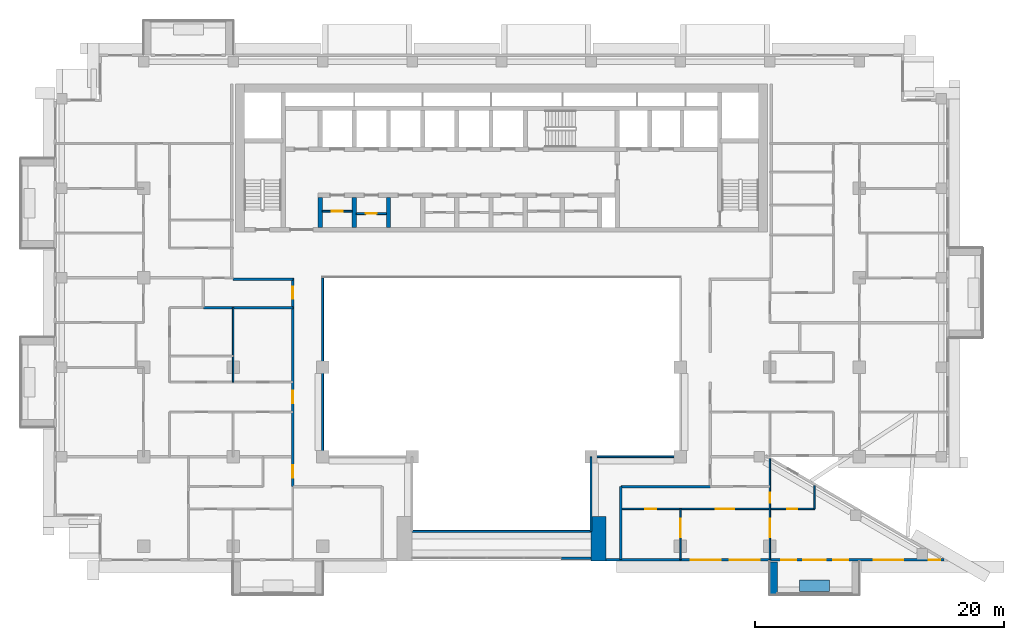
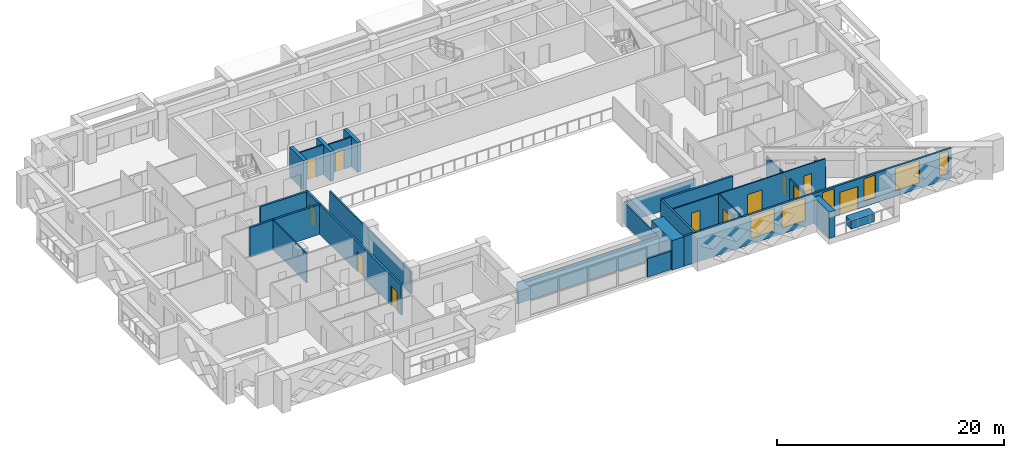
# One storey, part 8 of 20: 24 walls, 12 doors, 6 windows, 18 openings.
"""IFC4 building model written with IfcOpenShell, lengths in metres."""

import ifcopenshell
import ifcopenshell.guid

model = None  # the IFC model being written
_history = None  # IfcOwnerHistory: only IFC2X3 demands one
_inside = {}  # id of a spatial element -> (the spatial element, [elements in it])
_under = {}  # id of a project, library or spatial element -> (it, [spatial elements below it])
_declared = {}  # id of a project -> (the project, [libraries it declares])
_typed = {}  # id of a type object -> (the type object, [elements of that type])
_made_of = {}  # id of a material, layer set ... -> (it, [elements and type objects made of it])


def new_model(schema):
    """Start an empty IFC model of exactly this schema.

    Asked for "IFC4X3", IfcOpenShell would pick the latest addendum, in which some entities
    have other attributes; the version numbers below select the first issue.
    IFC2X3 requires an IfcOwnerHistory on every rooted entity: one is made here for all.
    """
    global model, _history
    if schema == "IFC4X3":
        model = ifcopenshell.file(schema_version=(4, 3, 0, 0))
    else:
        model = ifcopenshell.file(schema=schema)
    _inside.clear()
    _under.clear()
    _declared.clear()
    _typed.clear()
    _made_of.clear()
    _history = None
    if model.schema == "IFC2X3":
        org = make("IfcOrganization", Name="unknown")
        user = make(
            "IfcPersonAndOrganization",
            ThePerson=make("IfcPerson", FamilyName="unknown"),
            TheOrganization=org,
        )
        app = make(
            "IfcApplication",
            ApplicationDeveloper=org,
            Version="unknown",
            ApplicationFullName="unknown",
            ApplicationIdentifier="unknown",
        )
        _history = make(
            "IfcOwnerHistory",
            OwningUser=user,
            OwningApplication=app,
            ChangeAction="ADDED",
            CreationDate=0,
        )
    return model


def make(cls, **values):
    """One entity of the class cls with the attributes given. An attribute that is None is left unset."""
    return model.create_entity(
        cls, **{name: value for name, value in values.items() if value is not None}
    )


def rooted(cls, **values):
    """An entity with a GlobalId (a new one), such as an element, a storey or a relation."""
    return make(cls, GlobalId=ifcopenshell.guid.new(), OwnerHistory=_history, **values)


def si_unit(unit_type, name, prefix=None):
    """IfcSIUnit, for example si_unit("LENGTHUNIT", "METRE", prefix="MILLI")."""
    return make("IfcSIUnit", UnitType=unit_type, Prefix=prefix, Name=name)


def assignment(units):
    """IfcUnitAssignment: the units of a project."""
    return None if units is None else make("IfcUnitAssignment", Units=units)


def point(xyz):
    """IfcCartesianPoint."""
    return None if xyz is None else make("IfcCartesianPoint", Coordinates=xyz)


def direction(xyz):
    """IfcDirection."""
    return None if xyz is None else make("IfcDirection", DirectionRatios=xyz)


def frame(location, z_axis=None, x_axis=None):
    """IfcAxis2Placement3D, a coordinate frame: its origin and axes. An axis left out is left unset."""
    return make(
        "IfcAxis2Placement3D",
        Location=point(location),
        Axis=direction(z_axis),
        RefDirection=direction(x_axis),
    )


def frame_2d(location, x_axis=None):
    """IfcAxis2Placement2D, a coordinate frame in the plane: its origin and x axis."""
    return make(
        "IfcAxis2Placement2D", Location=point(location), RefDirection=direction(x_axis)
    )


def origin():
    """The frame at (0, 0, 0) with its axes left unset."""
    return frame((0.0, 0.0, 0.0))


def place(relative_to, where):
    """IfcLocalPlacement: puts the frame where relative to a parent placement (None: the world)."""
    return make(
        "IfcLocalPlacement", PlacementRelTo=relative_to, RelativePlacement=where
    )


def context(
    kind, dimensions, precision=None, world=None, true_north=None, identifier=None
):
    """IfcGeometricRepresentationContext, for example the 3D "Model" context."""
    return make(
        "IfcGeometricRepresentationContext",
        ContextIdentifier=identifier,
        ContextType=kind,
        CoordinateSpaceDimension=dimensions,
        Precision=precision,
        WorldCoordinateSystem=world,
        TrueNorth=true_north,
    )


def subcontext(parent, identifier, kind, view, scale=None):
    """IfcGeometricRepresentationSubContext, for example "Body" below "Model"."""
    return make(
        "IfcGeometricRepresentationSubContext",
        ContextIdentifier=identifier,
        ContextType=kind,
        ParentContext=parent,
        TargetScale=scale,
        TargetView=view,
    )


def project(units=None, contexts=None):
    """IfcProject with its units and contexts."""
    return rooted(
        "IfcProject",
        Name="project",
        RepresentationContexts=contexts,
        UnitsInContext=assignment(units),
    )


def spatial(cls, under=None, at=None, **own):
    """A site, building, storey or space (cls), placed at a placement, below another one or the project."""
    s = rooted(cls, ObjectPlacement=at, **own)
    if under is not None:
        _under.setdefault(under.id(), (under, []))[1].append(s)
    return s


def profile(cls, at=None, kind="AREA", **sizes):
    """A parametric profile (cls). Its sizes go by their IFC names, for example OverallWidth=200.0."""
    return make(cls, ProfileType=kind, Position=at, **sizes)


def rectangle(**sizes):
    """IfcRectangleProfileDef."""
    return profile("IfcRectangleProfileDef", **sizes)


def extrude(swept, where, along, depth):
    """IfcExtrudedAreaSolid: the profile swept, set in the frame where, extruded along a direction by depth."""
    return make(
        "IfcExtrudedAreaSolid",
        SweptArea=swept,
        Position=where,
        ExtrudedDirection=direction(along),
        Depth=depth,
    )


def shape(context_of_items, identifier, shape_type, items):
    """IfcShapeRepresentation: the items that make up one representation, for example the "Body"."""
    return make(
        "IfcShapeRepresentation",
        ContextOfItems=context_of_items,
        RepresentationIdentifier=identifier,
        RepresentationType=shape_type,
        Items=items,
    )


def material(Name=None, Category=None):
    """IfcMaterial."""
    return make("IfcMaterial", Name=Name, Category=Category)


def layer(
    of_material, thickness, ventilated=None, Name=None, Category=None, Priority=None
):
    """IfcMaterialLayer: one layer of a wall or slab, of a material (None: an air gap)."""
    return make(
        "IfcMaterialLayer",
        Material=of_material,
        LayerThickness=thickness,
        IsVentilated=ventilated,
        Name=Name,
        Category=Category,
        Priority=Priority,
    )


def layer_set(layers, Name=None):
    """IfcMaterialLayerSet."""
    return make("IfcMaterialLayerSet", MaterialLayers=layers, LayerSetName=Name)


def made_of(thing, what):
    """Note that an element or type object is made of a material, layer set ...; save() writes the relation."""
    if what is not None:
        _made_of.setdefault(what.id(), (what, []))[1].append(thing)
    return thing


def type_object(cls, material=None, **own):
    """A type object (cls), such as IfcWallType, which elements share."""
    return made_of(rooted(cls, **own), material)


def element(
    cls,
    number,
    at=None,
    inside=None,
    cuts=None,
    type_object=None,
    material=None,
    context=None,
    identifier="Body",
    shape_type=None,
    held_by="IfcProductDefinitionShape",
    body=None,
    shapes=None,
    **own,
):
    """One element of the class cls, such as IfcWall. Its Tag is "e" and its number.

    at: its placement. inside: the storey or other place that contains it. cuts: it is an
    opening in that element (IfcRelVoidsElement). A single representation is given by context,
    identifier, shape_type and body (its items); several are given by shapes. held_by: the class
    of the entity that holds the representations. save() writes the other relations.
    """
    e = rooted(cls, Tag="e%d" % number, ObjectPlacement=at, **own)
    if body is not None:
        shapes = [shape(context, identifier, shape_type, body)]
    if shapes is not None:
        e.Representation = make(held_by, Representations=shapes)
    if inside is not None:
        _inside.setdefault(inside.id(), (inside, []))[1].append(e)
    if cuts is not None:
        rooted(
            "IfcRelVoidsElement", RelatingBuildingElement=cuts, RelatedOpeningElement=e
        )
    if type_object is not None:
        _typed.setdefault(type_object.id(), (type_object, []))[1].append(e)
    return made_of(e, material)


def fill(opening, filler):
    """IfcRelFillsElement: the door or window that sits in an opening."""
    return rooted(
        "IfcRelFillsElement",
        RelatingOpeningElement=opening,
        RelatedBuildingElement=filler,
    )


def aggregate(whole, parts):
    """IfcRelAggregates: a whole, such as a stair, and the parts it consists of."""
    return rooted("IfcRelAggregates", RelatingObject=whole, RelatedObjects=parts)


def save(model, path):
    """Write the relations noted so far, then the file.

    IfcRelAggregates (storeys below a building ...), IfcRelContainedInSpatialStructure (elements
    in a storey), IfcRelDefinesByType, IfcRelAssociatesMaterial and IfcRelDeclares: one each for
    every whole, place, type object, material and project.
    """
    for whole, parts in _under.values():
        aggregate(whole, parts)
    for where, things in _inside.values():
        rooted(
            "IfcRelContainedInSpatialStructure",
            RelatedElements=things,
            RelatingStructure=where,
        )
    for kind, things in _typed.values():
        rooted("IfcRelDefinesByType", RelatedObjects=things, RelatingType=kind)
    for what, things in _made_of.values():
        rooted("IfcRelAssociatesMaterial", RelatedObjects=things, RelatingMaterial=what)
    for by, libraries in _declared.values():
        rooted("IfcRelDeclares", RelatingContext=by, RelatedDefinitions=libraries)
    model.write(path)


model = new_model("IFC4")

# Units and contexts
model_context = context("Model", 3, precision=1e-05, world=origin(), true_north=direction((0.0, 1.0)))
body_context = subcontext(model_context, "Body", "Model", "MODEL_VIEW")
ifc_project = project(units=[si_unit("LENGTHUNIT", "METRE"), si_unit("AREAUNIT", "SQUARE_METRE"), si_unit("VOLUMEUNIT", "CUBIC_METRE"), si_unit("PLANEANGLEUNIT", "RADIAN"), si_unit("MASSUNIT", "GRAM", prefix="KILO")], contexts=[model_context])

# Site, building, storey
site_placement = place(None, origin())
site = spatial("IfcSite", under=ifc_project, at=site_placement, CompositionType="ELEMENT")
building_placement = place(site_placement, origin())
building = spatial("IfcBuilding", under=site, at=building_placement, Name="Saffron Iwan Residences", CompositionType="ELEMENT")
storey_placement = place(building_placement, frame((0.0, 0.0, 150.0)))
storey = spatial("IfcBuildingStorey", under=building, at=storey_placement, Name="L39", CompositionType="ELEMENT", Elevation=150.0)

# Walls
ifc_material_1 = material(Name="Fire-rated glazing", Category="glass")
ifc_layer_1 = layer(ifc_material_1, 0.14990234375)
ifc_layer_set_1 = layer_set([ifc_layer_1], Name="Fire-rated glazing")
wall_type_1 = type_object("IfcWallType", Name="Atrium glazed screen 150", PredefinedType="SOLIDWALL", material=ifc_layer_set_1)
wall_1_placement = place(storey_placement, frame((43.199951171875, 42.0, 0.0), z_axis=(0.0, 0.0, 1.0), x_axis=(1.0, 0.0, 0.0)))
element("IfcWall", 1, at=wall_1_placement, inside=storey, type_object=wall_type_1, Name="W-L39-SCREEN-h42-43.2", PredefinedType="SOLIDWALL", context=body_context, shape_type="SweptSolid", body=[
    extrude(rectangle(XDim=14.400146484375, YDim=0.14990234375, at=frame_2d((7.2001953125, 0.0))), origin(), (0.0, 0.0, 1.0), 2.300048828125),
])
wall_2_placement = place(storey_placement, frame((57.60009765625, 48.0, 0.0), z_axis=(0.0, 0.0, 1.0), x_axis=(1.0, 0.0, 0.0)))
element("IfcWall", 2, at=wall_2_placement, inside=storey, type_object=wall_type_1, Name="W-L39-SCREEN-h48-57.6", PredefinedType="SOLIDWALL", context=body_context, shape_type="SweptSolid", body=[
    extrude(rectangle(XDim=7.199951171875, YDim=0.14990234375, at=frame_2d((3.60009765625, 0.0))), origin(), (0.0, 0.0, 1.0), 2.300048828125),
])
wall_3_placement = place(storey_placement, frame((36.0, 48.0, 0.0), z_axis=(0.0, 0.0, 1.0), x_axis=(0.0, 1.0, 0.0)))
element("IfcWall", 3, at=wall_3_placement, inside=storey, type_object=wall_type_1, Name="W-L39-SCREEN-v36-48", PredefinedType="SOLIDWALL", context=body_context, shape_type="SweptSolid", body=[
    extrude(rectangle(XDim=14.39990234375, YDim=0.14990234375, at=frame_2d((7.199951171875, 0.0))), origin(), (0.0, 0.0, 1.0), 2.300048828125),
])
wall_4_placement = place(storey_placement, frame((57.60009765625, 42.0, 0.0), z_axis=(0.0, 0.0, 1.0), x_axis=(0.0, 1.0, 0.0)))
element("IfcWall", 4, at=wall_4_placement, inside=storey, type_object=wall_type_1, Name="W-L39-SCREEN-v57.6-42", PredefinedType="SOLIDWALL", context=body_context, shape_type="SweptSolid", body=[
    extrude(rectangle(XDim=6.0, YDim=0.14990234375, at=frame_2d((3.0, 0.0))), origin(), (0.0, 0.0, 1.0), 2.300048828125),
])
ifc_material_2 = material(Name="Concrete C50/60 white painted", Category="concrete")
ifc_layer_2 = layer(ifc_material_2, 0.60009765625)
ifc_layer_set_2 = layer_set([ifc_layer_2], Name="Concrete C50/60 white painted")
wall_type_2 = type_object("IfcWallType", Name="BALCONY FIN 600", PredefinedType="SOLIDWALL", material=ifc_layer_set_2)
wall_5_placement = place(storey_placement, frame((72.300048828125, 39.550048828125, 0.0), z_axis=(0.0, 0.0, 1.0), x_axis=(0.0, -1.0, 0.0)))
element("IfcWall", 5, at=wall_5_placement, inside=storey, type_object=wall_type_2, Name="Balcony fin L39 11-1a", PredefinedType="SOLIDWALL", context=body_context, shape_type="SweptSolid", body=[
    extrude(rectangle(XDim=2.650146484375, YDim=0.60009765625, at=frame_2d((1.3251953125, 0.0))), origin(), (0.0, 0.0, 1.0), 2.85009765625),
])
ifc_material_3 = material(Name="Concrete C35/45 white painted", Category="concrete")
ifc_layer_3 = layer(ifc_material_3, 0.14990234375)
ifc_layer_set_3 = layer_set([ifc_layer_3], Name="Concrete C35/45 white painted")
wall_type_3 = type_object("IfcWallType", Name="BALCONY PLANTER", PredefinedType="SOLIDWALL", material=ifc_layer_set_3)
wall_6_placement = place(storey_placement, frame((74.39990234375, 37.625, 0.0), z_axis=(0.0, 0.0, 1.0), x_axis=(1.0, 0.0, 0.0)))
element("IfcWall", 6, at=wall_6_placement, inside=storey, type_object=wall_type_3, Name="PLANTER L39 11-1", PredefinedType="SOLIDWALL", context=body_context, shape_type="SweptSolid", body=[
    extrude(rectangle(XDim=2.400146484375, YDim=0.89990234375, at=frame_2d((1.2001953125, 0.0))), origin(), (0.0, 0.0, 1.0), 0.89990234375),
])

# Wall, opening, door
ifc_material_4 = material(Name="Fire-rated plasterboard partition")
ifc_layer_4 = layer(ifc_material_4, 0.14990234375)
ifc_layer_set_4 = layer_set([ifc_layer_4], Name="Fire-rated plasterboard partition")
wall_type_4 = type_object("IfcWallType", Name="Core partition 150", PredefinedType="PARTITIONING", material=ifc_layer_set_4)
wall_7_placement = place(storey_placement, frame((35.97509765625, 67.759521484375, 0.0), z_axis=(0.0, 0.0, 1.0), x_axis=(1.0, 0.0, 0.0)))
wall_7 = element("IfcWall", 7, at=wall_7_placement, inside=storey, type_object=wall_type_4, Name="Core partition P01", PredefinedType="PARTITIONING", context=body_context, shape_type="SweptSolid", body=[
    extrude(rectangle(XDim=2.39990234375, YDim=0.14990234375, at=frame_2d((1.199951171875, 0.0))), origin(), (0.0, 0.0, 1.0), 3.199951171875),
])
opening_1_placement = place(wall_7_placement, frame((0.75, 0.0, 0.0)))
opening_1 = element("IfcOpeningElement", 8, at=opening_1_placement, cuts=wall_7, Name="Opening SB", PredefinedType="OPENING", context=body_context, shape_type="SweptSolid", body=[
    extrude(rectangle(XDim=0.89990234375, YDim=2.10009765625, at=frame_2d((0.449951171875, 1.050048828125))), frame((0.0, 0.0849609375, 0.0), z_axis=(0.0, -1.0, 0.0), x_axis=(1.0, 0.0, 0.0)), (0.0, 0.0, 1.0), 0.169921875),
])
ifc_material_5 = material(Name="Steel fire door", Category="steel")
door_type_1 = type_object("IfcDoorType", Name="Store door 900", OperationType="NOTDEFINED", PredefinedType="DOOR", material=ifc_material_5)
door_1_placement = place(opening_1_placement, origin())
door_1 = element("IfcDoor", 9, at=door_1_placement, inside=storey, type_object=door_type_1, Name="Door Stationery store", OperationType="SINGLE_SWING_LEFT", OverallHeight=2.10009765625, OverallWidth=0.89990234375, PredefinedType="DOOR", context=body_context, shape_type="SweptSolid", body=[
    extrude(rectangle(XDim=0.89990234375, YDim=2.10009765625, at=frame_2d((0.449951171875, 1.050048828125))), frame((0.0, 0.02490234375, 0.0), z_axis=(0.0, -1.0, 0.0), x_axis=(1.0, 0.0, 0.0)), (0.0, 0.0, 1.0), 0.050048828125),
])
fill(opening_1, door_1)

wall_8_placement = place(storey_placement, frame((38.72509765625, 67.5654296875, 0.0), z_axis=(0.0, 0.0, 1.0), x_axis=(1.0, 0.0, 0.0)))
wall_8 = element("IfcWall", 10, at=wall_8_placement, inside=storey, type_object=wall_type_4, Name="Core partition P02", PredefinedType="PARTITIONING", context=body_context, shape_type="SweptSolid", body=[
    extrude(rectangle(XDim=2.39990234375, YDim=0.14990234375, at=frame_2d((1.199951171875, 0.0))), origin(), (0.0, 0.0, 1.0), 3.199951171875),
])
opening_2_placement = place(wall_8_placement, frame((0.75, 0.0, 0.0)))
opening_2 = element("IfcOpeningElement", 11, at=opening_2_placement, cuts=wall_8, Name="Opening SB", PredefinedType="OPENING", context=body_context, shape_type="SweptSolid", body=[
    extrude(rectangle(XDim=0.89990234375, YDim=2.10009765625, at=frame_2d((0.449951171875, 1.050048828125))), frame((0.0, 0.0849609375, 0.0), z_axis=(0.0, -1.0, 0.0), x_axis=(1.0, 0.0, 0.0)), (0.0, 0.0, 1.0), 0.169921875),
])
door_2_placement = place(opening_2_placement, origin())
door_2 = element("IfcDoor", 12, at=door_2_placement, inside=storey, type_object=door_type_1, Name="Door Tool store", OperationType="SINGLE_SWING_LEFT", OverallHeight=2.10009765625, OverallWidth=0.89990234375, PredefinedType="DOOR", context=body_context, shape_type="SweptSolid", body=[
    extrude(rectangle(XDim=0.89990234375, YDim=2.10009765625, at=frame_2d((0.449951171875, 1.050048828125))), frame((0.0, 0.02490234375, 0.0), z_axis=(0.0, -1.0, 0.0), x_axis=(1.0, 0.0, 0.0)), (0.0, 0.0, 1.0), 0.050048828125),
])
fill(opening_2, door_2)

# Wall, openings, door, windows
ifc_material_6 = material(Name="Concrete C40/50", Category="concrete")
ifc_layer_5 = layer(ifc_material_6, 0.199951171875)
ifc_layer_set_5 = layer_set([ifc_layer_5], Name="Concrete C40/50")
wall_type_5 = type_object("IfcWallType", Name="EXTERNAL WALL 200", PredefinedType="SOLIDWALL", material=ifc_layer_set_5)
wall_9_placement = place(storey_placement, frame((58.800048828125, 39.699951171875, 0.0), z_axis=(0.0, 0.0, 1.0), x_axis=(1.0, 0.0, 0.0)))
wall_9 = element("IfcWall", 13, at=wall_9_placement, inside=storey, type_object=wall_type_5, Name="External wall L39 F11.1", PredefinedType="SOLIDWALL", context=body_context, shape_type="SweptSolid", body=[
    extrude(rectangle(XDim=27.22998046875, YDim=0.199951171875, at=frame_2d((13.614990234375, 0.0))), origin(), (0.0, 0.0, 1.0), 3.199951171875),
])
opening_3_placement = place(wall_9_placement, frame((15.89990234375, 0.0, 0.0)))
opening_3 = element("IfcOpeningElement", 14, at=opening_3_placement, cuts=wall_9, Name="Opening BD1", PredefinedType="OPENING", context=body_context, shape_type="SweptSolid", body=[
    extrude(rectangle(XDim=1.800048828125, YDim=2.39990234375, at=frame_2d((0.89990234375, 1.199951171875))), frame((0.0, 0.10986328125, 0.0), z_axis=(0.0, -1.0, 0.0), x_axis=(1.0, 0.0, 0.0)), (0.0, 0.0, 1.0), 0.219970703125),
])
opening_4_placement = place(wall_9_placement, frame((6.833251953125, 0.0, 0.60009765625)))
opening_4 = element("IfcOpeningElement", 15, at=opening_4_placement, cuts=wall_9, Name="Opening W1", PredefinedType="OPENING", context=body_context, shape_type="SweptSolid", body=[
    extrude(rectangle(XDim=2.39990234375, YDim=2.39990234375, at=frame_2d((1.199951171875, 1.199951171875))), frame((0.0, 0.10986328125, 0.0), z_axis=(0.0, -1.0, 0.0), x_axis=(1.0, 0.0, 0.0)), (0.0, 0.0, 1.0), 0.219970703125),
])
opening_5_placement = place(wall_9_placement, frame((9.966796875, 0.0, 0.60009765625)))
opening_5 = element("IfcOpeningElement", 16, at=opening_5_placement, cuts=wall_9, Name="Opening W1", PredefinedType="OPENING", context=body_context, shape_type="SweptSolid", body=[
    extrude(rectangle(XDim=2.39990234375, YDim=2.39990234375, at=frame_2d((1.199951171875, 1.199951171875))), frame((0.0, 0.10986328125, 0.0), z_axis=(0.0, -1.0, 0.0), x_axis=(1.0, 0.0, 0.0)), (0.0, 0.0, 1.0), 0.219970703125),
])
opening_6_placement = place(wall_9_placement, frame((14.10009765625, 0.0, 0.60009765625)))
opening_6 = element("IfcOpeningElement", 17, at=opening_6_placement, cuts=wall_9, Name="Opening W3", PredefinedType="OPENING", context=body_context, shape_type="SweptSolid", body=[
    extrude(rectangle(XDim=1.199951171875, YDim=2.39990234375, at=frame_2d((0.60009765625, 1.199951171875))), frame((0.0, 0.10986328125, 0.0), z_axis=(0.0, -1.0, 0.0), x_axis=(1.0, 0.0, 0.0)), (0.0, 0.0, 1.0), 0.219970703125),
])
opening_7_placement = place(wall_9_placement, frame((18.300048828125, 0.0, 0.60009765625)))
opening_7 = element("IfcOpeningElement", 18, at=opening_7_placement, cuts=wall_9, Name="Opening W3", PredefinedType="OPENING", context=body_context, shape_type="SweptSolid", body=[
    extrude(rectangle(XDim=1.199951171875, YDim=2.39990234375, at=frame_2d((0.60009765625, 1.199951171875))), frame((0.0, 0.10986328125, 0.0), z_axis=(0.0, -1.0, 0.0), x_axis=(1.0, 0.0, 0.0)), (0.0, 0.0, 1.0), 0.219970703125),
])
opening_8_placement = place(wall_9_placement, frame((21.550537109375, 0.0, 0.60009765625)))
opening_8 = element("IfcOpeningElement", 19, at=opening_8_placement, cuts=wall_9, Name="Opening W1", PredefinedType="OPENING", context=body_context, shape_type="SweptSolid", body=[
    extrude(rectangle(XDim=2.39990234375, YDim=2.39990234375, at=frame_2d((1.199951171875, 1.199951171875))), frame((0.0, 0.10986328125, 0.0), z_axis=(0.0, -1.0, 0.0), x_axis=(1.0, 0.0, 0.0)), (0.0, 0.0, 1.0), 0.219970703125),
])
opening_9_placement = place(wall_9_placement, frame((25.990478515625, 0.0, 0.60009765625)))
opening_9 = element("IfcOpeningElement", 20, at=opening_9_placement, cuts=wall_9, Name="Opening W10", PredefinedType="OPENING", context=body_context, shape_type="SweptSolid", body=[
    extrude(rectangle(XDim=0.89990234375, YDim=2.39990234375, at=frame_2d((0.449951171875, 1.199951171875))), frame((0.0, 0.10986328125, 0.0), z_axis=(0.0, -1.0, 0.0), x_axis=(1.0, 0.0, 0.0)), (0.0, 0.0, 1.0), 0.219970703125),
])
ifc_material_7 = material(Name="Clear glass, laminated double glazed", Category="glass")
door_type_2 = type_object("IfcDoorType", Name="BALCONY DOOR 1800 x 2400", OperationType="DOUBLE_DOOR_SLIDING", PredefinedType="DOOR", material=ifc_material_7)
door_3_placement = place(opening_3_placement, origin())
door_3 = element("IfcDoor", 21, at=door_3_placement, inside=storey, type_object=door_type_2, Name="Balcony door L39 F11.0", OperationType="DOUBLE_DOOR_SLIDING", OverallHeight=2.39990234375, OverallWidth=1.800048828125, PredefinedType="DOOR", context=body_context, shape_type="SweptSolid", body=[
    extrude(rectangle(XDim=1.800048828125, YDim=2.39990234375, at=frame_2d((0.89990234375, 1.199951171875))), frame((0.0, 0.02490234375, 0.0), z_axis=(0.0, -1.0, 0.0), x_axis=(1.0, 0.0, 0.0)), (0.0, 0.0, 1.0), 0.050048828125),
])
fill(opening_3, door_3)
window_type_1 = type_object("IfcWindowType", Name="WINDOW 1200 x 2400", PartitioningType="SINGLE_PANEL", PredefinedType="WINDOW", material=ifc_material_7)
window_1_placement = place(opening_6_placement, origin())
window_1 = element("IfcWindow", 22, at=window_1_placement, inside=storey, type_object=window_type_1, Name="Window L39 F11.3", OverallHeight=2.39990234375, OverallWidth=1.199951171875, PartitioningType="SINGLE_PANEL", PredefinedType="WINDOW", context=body_context, shape_type="SweptSolid", body=[
    extrude(rectangle(XDim=1.199951171875, YDim=2.39990234375, at=frame_2d((0.60009765625, 1.199951171875))), frame((0.0, 0.030029296875, 0.0), z_axis=(0.0, -1.0, 0.0), x_axis=(1.0, 0.0, 0.0)), (0.0, 0.0, 1.0), 0.06005859375),
])
fill(opening_6, window_1)
window_2_placement = place(opening_7_placement, origin())
window_2 = element("IfcWindow", 23, at=window_2_placement, inside=storey, type_object=window_type_1, Name="Window L39 F11.4", OverallHeight=2.39990234375, OverallWidth=1.199951171875, PartitioningType="SINGLE_PANEL", PredefinedType="WINDOW", context=body_context, shape_type="SweptSolid", body=[
    extrude(rectangle(XDim=1.199951171875, YDim=2.39990234375, at=frame_2d((0.60009765625, 1.199951171875))), frame((0.0, 0.030029296875, 0.0), z_axis=(0.0, -1.0, 0.0), x_axis=(1.0, 0.0, 0.0)), (0.0, 0.0, 1.0), 0.06005859375),
])
fill(opening_7, window_2)
window_type_2 = type_object("IfcWindowType", Name="WINDOW 2400 x 2400", PartitioningType="DOUBLE_PANEL_VERTICAL", PredefinedType="WINDOW", material=ifc_material_7)
window_3_placement = place(opening_4_placement, origin())
window_3 = element("IfcWindow", 24, at=window_3_placement, inside=storey, type_object=window_type_2, Name="Window L39 F11.1", OverallHeight=2.39990234375, OverallWidth=2.39990234375, PartitioningType="DOUBLE_PANEL_VERTICAL", PredefinedType="WINDOW", context=body_context, shape_type="SweptSolid", body=[
    extrude(rectangle(XDim=2.39990234375, YDim=2.39990234375, at=frame_2d((1.199951171875, 1.199951171875))), frame((0.0, 0.030029296875, 0.0), z_axis=(0.0, -1.0, 0.0), x_axis=(1.0, 0.0, 0.0)), (0.0, 0.0, 1.0), 0.06005859375),
])
fill(opening_4, window_3)
window_4_placement = place(opening_5_placement, origin())
window_4 = element("IfcWindow", 25, at=window_4_placement, inside=storey, type_object=window_type_2, Name="Window L39 F11.2", OverallHeight=2.39990234375, OverallWidth=2.39990234375, PartitioningType="DOUBLE_PANEL_VERTICAL", PredefinedType="WINDOW", context=body_context, shape_type="SweptSolid", body=[
    extrude(rectangle(XDim=2.39990234375, YDim=2.39990234375, at=frame_2d((1.199951171875, 1.199951171875))), frame((0.0, 0.030029296875, 0.0), z_axis=(0.0, -1.0, 0.0), x_axis=(1.0, 0.0, 0.0)), (0.0, 0.0, 1.0), 0.06005859375),
])
fill(opening_5, window_4)
window_5_placement = place(opening_8_placement, origin())
window_5 = element("IfcWindow", 26, at=window_5_placement, inside=storey, type_object=window_type_2, Name="Window L39 F11.5", OverallHeight=2.39990234375, OverallWidth=2.39990234375, PartitioningType="DOUBLE_PANEL_VERTICAL", PredefinedType="WINDOW", context=body_context, shape_type="SweptSolid", body=[
    extrude(rectangle(XDim=2.39990234375, YDim=2.39990234375, at=frame_2d((1.199951171875, 1.199951171875))), frame((0.0, 0.030029296875, 0.0), z_axis=(0.0, -1.0, 0.0), x_axis=(1.0, 0.0, 0.0)), (0.0, 0.0, 1.0), 0.06005859375),
])
fill(opening_8, window_5)
window_type_3 = type_object("IfcWindowType", Name="WINDOW 900 x 2400", PartitioningType="SINGLE_PANEL", PredefinedType="WINDOW", material=ifc_material_7)
window_6_placement = place(opening_9_placement, origin())
window_6 = element("IfcWindow", 27, at=window_6_placement, inside=storey, type_object=window_type_3, Name="Window L39 F11.6", OverallHeight=2.39990234375, OverallWidth=0.89990234375, PartitioningType="SINGLE_PANEL", PredefinedType="WINDOW", context=body_context, shape_type="SweptSolid", body=[
    extrude(rectangle(XDim=0.89990234375, YDim=2.39990234375, at=frame_2d((0.449951171875, 1.199951171875))), frame((0.0, 0.030029296875, 0.0), z_axis=(0.0, -1.0, 0.0), x_axis=(1.0, 0.0, 0.0)), (0.0, 0.0, 1.0), 0.06005859375),
])
fill(opening_9, window_6)

# Walls
wall_10_placement = place(storey_placement, frame((55.199951171875, 39.85009765625, 0.0), z_axis=(0.0, 0.0, 1.0), x_axis=(1.0, 0.0, 0.0)))
element("IfcWall", 28, at=wall_10_placement, inside=storey, type_object=wall_type_5, Name="External wall infill CWB-L39-0", PredefinedType="SOLIDWALL", context=body_context, shape_type="SweptSolid", body=[
    extrude(rectangle(XDim=2.400146484375, YDim=0.199951171875, at=frame_2d((1.2001953125, 0.0))), origin(), (0.0, 0.0, 1.0), 2.0),
])
ifc_material_8 = material(Name="Fire-rated gypsum board wall")
ifc_layer_6 = layer(ifc_material_8, 0.199951171875)
ifc_layer_set_6 = layer_set([ifc_layer_6], Name="Fire-rated gypsum board wall")
wall_type_6 = type_object("IfcWallType", Name="Flat demising wall 200", PredefinedType="SOLIDWALL", material=ifc_layer_set_6)
wall_11_placement = place(storey_placement, frame((26.39990234375, 60.0, 0.0), z_axis=(0.0, 0.0, 1.0), x_axis=(1.0, 0.0, 0.0)))
element("IfcWall", 29, at=wall_11_placement, inside=storey, type_object=wall_type_6, Name="W-L39-DEMISE-h60-26.4", PredefinedType="SOLIDWALL", context=body_context, shape_type="SweptSolid", body=[
    extrude(rectangle(XDim=7.2001953125, YDim=0.199951171875, at=frame_2d((3.60009765625, 0.0))), origin(), (0.0, 0.0, 1.0), 3.199951171875),
])

# Wall, openings, doors
ifc_material_9 = material(Name="Gypsum board partition")
ifc_layer_7 = layer(ifc_material_9, 0.1201171875)
ifc_layer_set_7 = layer_set([ifc_layer_7], Name="Gypsum board partition")
wall_type_7 = type_object("IfcWallType", Name="Flat partition 120", PredefinedType="PARTITIONING", material=ifc_layer_set_7)
wall_12_placement = place(storey_placement, frame((60.0, 43.800048828125, 0.0), z_axis=(0.0, 0.0, 1.0), x_axis=(1.0, 0.0, 0.0)))
wall_12 = element("IfcWall", 30, at=wall_12_placement, inside=storey, type_object=wall_type_7, Name="W-L39-PART-h43.8-60", PredefinedType="PARTITIONING", context=body_context, shape_type="SweptSolid", body=[
    extrude(rectangle(XDim=15.60009765625, YDim=0.1201171875, at=frame_2d((7.800048828125, 0.0))), origin(), (0.0, 0.0, 1.0), 3.199951171875),
])
opening_10_placement = place(wall_12_placement, frame((7.64990234375, 0.0, 0.0)))
opening_10 = element("IfcOpeningElement", 31, at=opening_10_placement, cuts=wall_12, Name="Opening FD4", PredefinedType="OPENING", context=body_context, shape_type="SweptSolid", body=[
    extrude(rectangle(XDim=1.5, YDim=2.10009765625, at=frame_2d((0.75, 1.050048828125))), frame((0.0, 0.070068359375, 0.0), z_axis=(0.0, -1.0, 0.0), x_axis=(1.0, 0.0, 0.0)), (0.0, 0.0, 1.0), 0.14013671875),
])
opening_11_placement = place(wall_12_placement, frame((1.949951171875, 0.0, 0.0)))
opening_11 = element("IfcOpeningElement", 32, at=opening_11_placement, cuts=wall_12, Name="Opening FD2", PredefinedType="OPENING", context=body_context, shape_type="SweptSolid", body=[
    extrude(rectangle(XDim=0.89990234375, YDim=2.10009765625, at=frame_2d((0.449951171875, 1.050048828125))), frame((0.0, 0.070068359375, 0.0), z_axis=(0.0, -1.0, 0.0), x_axis=(1.0, 0.0, 0.0)), (0.0, 0.0, 1.0), 0.14013671875),
])
opening_12_placement = place(wall_12_placement, frame((13.39990234375, 0.0, 0.0)))
opening_12 = element("IfcOpeningElement", 33, at=opening_12_placement, cuts=wall_12, Name="Opening FD3", PredefinedType="OPENING", context=body_context, shape_type="SweptSolid", body=[
    extrude(rectangle(XDim=0.800048828125, YDim=2.10009765625, at=frame_2d((0.39990234375, 1.050048828125))), frame((0.0, 0.070068359375, 0.0), z_axis=(0.0, -1.0, 0.0), x_axis=(1.0, 0.0, 0.0)), (0.0, 0.0, 1.0), 0.14013671875),
])
ifc_material_10 = material(Name="Timber door", Category="wood")
door_type_3 = type_object("IfcDoorType", Name="Bathroom door 800", OperationType="NOTDEFINED", PredefinedType="DOOR", material=ifc_material_10)
door_4_placement = place(opening_12_placement, origin())
door_4 = element("IfcDoor", 34, at=door_4_placement, inside=storey, type_object=door_type_3, Name="Door L39-048", OperationType="SINGLE_SWING_LEFT", OverallHeight=2.10009765625, OverallWidth=0.800048828125, PredefinedType="DOOR", context=body_context, shape_type="SweptSolid", body=[
    extrude(rectangle(XDim=0.800048828125, YDim=2.10009765625, at=frame_2d((0.39990234375, 1.050048828125))), frame((0.0, 0.02490234375, 0.0), z_axis=(0.0, -1.0, 0.0), x_axis=(1.0, 0.0, 0.0)), (0.0, 0.0, 1.0), 0.050048828125),
])
fill(opening_12, door_4)
door_type_4 = type_object("IfcDoorType", Name="Double door 1500", OperationType="NOTDEFINED", PredefinedType="DOOR", material=ifc_material_10)
door_5_placement = place(opening_10_placement, origin())
door_5 = element("IfcDoor", 35, at=door_5_placement, inside=storey, type_object=door_type_4, Name="Door L39-044", OperationType="SINGLE_SWING_LEFT", OverallHeight=2.10009765625, OverallWidth=1.5, PredefinedType="DOOR", context=body_context, shape_type="SweptSolid", body=[
    extrude(rectangle(XDim=1.5, YDim=2.10009765625, at=frame_2d((0.75, 1.050048828125))), frame((0.0, 0.02490234375, 0.0), z_axis=(0.0, -1.0, 0.0), x_axis=(1.0, 0.0, 0.0)), (0.0, 0.0, 1.0), 0.050048828125),
])
fill(opening_10, door_5)
door_type_5 = type_object("IfcDoorType", Name="Flat door 900", OperationType="NOTDEFINED", PredefinedType="DOOR", material=ifc_material_10)
door_6_placement = place(opening_11_placement, origin())
door_6 = element("IfcDoor", 36, at=door_6_placement, inside=storey, type_object=door_type_5, Name="Door L39-045", OperationType="SINGLE_SWING_LEFT", OverallHeight=2.10009765625, OverallWidth=0.89990234375, PredefinedType="DOOR", context=body_context, shape_type="SweptSolid", body=[
    extrude(rectangle(XDim=0.89990234375, YDim=2.10009765625, at=frame_2d((0.449951171875, 1.050048828125))), frame((0.0, 0.02490234375, 0.0), z_axis=(0.0, -1.0, 0.0), x_axis=(1.0, 0.0, 0.0)), (0.0, 0.0, 1.0), 0.050048828125),
])
fill(opening_11, door_6)

# Wall
wall_13_placement = place(storey_placement, frame((28.800048828125, 54.0, 0.0), z_axis=(0.0, 0.0, 1.0), x_axis=(0.0, 1.0, 0.0)))
element("IfcWall", 37, at=wall_13_placement, inside=storey, type_object=wall_type_7, Name="W-L39-PART-v28.8-54", PredefinedType="PARTITIONING", context=body_context, shape_type="SweptSolid", body=[
    extrude(rectangle(XDim=6.0, YDim=0.1201171875, at=frame_2d((3.0, 0.0))), origin(), (0.0, 0.0, 1.0), 3.199951171875),
])

# Wall, opening, door
wall_14_placement = place(storey_placement, frame((64.800048828125, 39.72509765625, 0.0), z_axis=(0.0, 0.0, 1.0), x_axis=(0.0, 1.0, 0.0)))
wall_14 = element("IfcWall", 38, at=wall_14_placement, inside=storey, type_object=wall_type_7, Name="W-L39-PART-v64.8-39.725", PredefinedType="PARTITIONING", context=body_context, shape_type="SweptSolid", body=[
    extrude(rectangle(XDim=4.074951171875, YDim=0.1201171875, at=frame_2d((2.03759765625, 0.0))), origin(), (0.0, 0.0, 1.0), 3.199951171875),
])
opening_13_placement = place(wall_14_placement, frame((1.78759765625, 0.0, 0.0)))
opening_13 = element("IfcOpeningElement", 39, at=opening_13_placement, cuts=wall_14, Name="Opening FD4", PredefinedType="OPENING", context=body_context, shape_type="SweptSolid", body=[
    extrude(rectangle(XDim=1.5, YDim=2.10009765625, at=frame_2d((0.75, 1.050048828125))), frame((0.0, 0.070068359375, 0.0), z_axis=(0.0, -1.0, 0.0), x_axis=(1.0, 0.0, 0.0)), (0.0, 0.0, 1.0), 0.14013671875),
])
door_7_placement = place(opening_13_placement, origin())
door_7 = element("IfcDoor", 40, at=door_7_placement, inside=storey, type_object=door_type_4, Name="Door L39-041", OperationType="SINGLE_SWING_RIGHT", OverallHeight=2.10009765625, OverallWidth=1.5, PredefinedType="DOOR", context=body_context, shape_type="SweptSolid", body=[
    extrude(rectangle(XDim=1.5, YDim=2.10009765625, at=frame_2d((0.75, 1.050048828125))), frame((0.0, 0.02490234375, 0.0), z_axis=(0.0, -1.0, 0.0), x_axis=(1.0, 0.0, 0.0)), (0.0, 0.0, 1.0), 0.050048828125),
])
fill(opening_13, door_7)

# Wall, openings, doors
wall_15_placement = place(storey_placement, frame((72.0, 39.72509765625, 0.0), z_axis=(0.0, 0.0, 1.0), x_axis=(0.0, 1.0, 0.0)))
wall_15 = element("IfcWall", 41, at=wall_15_placement, inside=storey, type_object=wall_type_7, Name="W-L39-PART-v72-39.725", PredefinedType="PARTITIONING", context=body_context, shape_type="SweptSolid", body=[
    extrude(rectangle(XDim=8.1298828125, YDim=0.1201171875, at=frame_2d((4.06494140625, 0.0))), origin(), (0.0, 0.0, 1.0), 2.300048828125),
])
opening_14_placement = place(wall_15_placement, frame((1.78759765625, 0.0, 0.0)))
opening_14 = element("IfcOpeningElement", 42, at=opening_14_placement, cuts=wall_15, Name="Opening FD4", PredefinedType="OPENING", context=body_context, shape_type="SweptSolid", body=[
    extrude(rectangle(XDim=1.5, YDim=2.10009765625, at=frame_2d((0.75, 1.050048828125))), frame((0.0, 0.070068359375, 0.0), z_axis=(0.0, -1.0, 0.0), x_axis=(1.0, 0.0, 0.0)), (0.0, 0.0, 1.0), 0.14013671875),
])
opening_15_placement = place(wall_15_placement, frame((4.574951171875, 0.0, 0.0)))
opening_15 = element("IfcOpeningElement", 43, at=opening_15_placement, cuts=wall_15, Name="Opening FD3", PredefinedType="OPENING", context=body_context, shape_type="SweptSolid", body=[
    extrude(rectangle(XDim=0.800048828125, YDim=2.10009765625, at=frame_2d((0.39990234375, 1.050048828125))), frame((0.0, 0.070068359375, 0.0), z_axis=(0.0, -1.0, 0.0), x_axis=(1.0, 0.0, 0.0)), (0.0, 0.0, 1.0), 0.14013671875),
])
door_8_placement = place(opening_15_placement, origin())
door_8 = element("IfcDoor", 44, at=door_8_placement, inside=storey, type_object=door_type_3, Name="Door L39-047", OperationType="SINGLE_SWING_LEFT", OverallHeight=2.10009765625, OverallWidth=0.800048828125, PredefinedType="DOOR", context=body_context, shape_type="SweptSolid", body=[
    extrude(rectangle(XDim=0.800048828125, YDim=2.10009765625, at=frame_2d((0.39990234375, 1.050048828125))), frame((0.0, 0.02490234375, 0.0), z_axis=(0.0, -1.0, 0.0), x_axis=(1.0, 0.0, 0.0)), (0.0, 0.0, 1.0), 0.050048828125),
])
fill(opening_15, door_8)
door_9_placement = place(opening_14_placement, origin())
door_9 = element("IfcDoor", 45, at=door_9_placement, inside=storey, type_object=door_type_4, Name="Door L39-046", OperationType="SINGLE_SWING_LEFT", OverallHeight=2.10009765625, OverallWidth=1.5, PredefinedType="DOOR", context=body_context, shape_type="SweptSolid", body=[
    extrude(rectangle(XDim=1.5, YDim=2.10009765625, at=frame_2d((0.75, 1.050048828125))), frame((0.0, 0.02490234375, 0.0), z_axis=(0.0, -1.0, 0.0), x_axis=(1.0, 0.0, 0.0)), (0.0, 0.0, 1.0), 0.050048828125),
])
fill(opening_14, door_9)

# Walls
wall_16_placement = place(storey_placement, frame((75.60009765625, 43.800048828125, 0.0), z_axis=(0.0, 0.0, 1.0), x_axis=(0.0, 1.0, 0.0)))
element("IfcWall", 46, at=wall_16_placement, inside=storey, type_object=wall_type_7, Name="W-L39-PART-v75.6-43.8", PredefinedType="PARTITIONING", context=body_context, shape_type="SweptSolid", body=[
    extrude(rectangle(XDim=1.868408203125, YDim=0.1201171875, at=frame_2d((0.93408203125, 0.0))), origin(), (0.0, 0.0, 1.0), 2.300048828125),
])
ifc_layer_8 = layer(ifc_material_8, 0.199951171875)
ifc_layer_set_8 = layer_set([ifc_layer_8], Name="Fire-rated gypsum board wall")
wall_type_8 = type_object("IfcWallType", Name="Gallery wall 200", PredefinedType="SOLIDWALL", material=ifc_layer_set_8)
wall_17_placement = place(storey_placement, frame((60.0, 45.60009765625, 0.0), z_axis=(0.0, 0.0, 1.0), x_axis=(1.0, 0.0, 0.0)))
element("IfcWall", 47, at=wall_17_placement, inside=storey, type_object=wall_type_8, Name="W-L39-CORR-h45.6-60", PredefinedType="SOLIDWALL", context=body_context, shape_type="SweptSolid", body=[
    extrude(rectangle(XDim=7.199951171875, YDim=0.199951171875, at=frame_2d((3.60009765625, 0.0))), origin(), (0.0, 0.0, 1.0), 3.199951171875),
])
wall_18_placement = place(storey_placement, frame((28.800048828125, 62.300048828125, 0.0), z_axis=(0.0, 0.0, 1.0), x_axis=(1.0, 0.0, 0.0)))
element("IfcWall", 48, at=wall_18_placement, inside=storey, type_object=wall_type_8, Name="W-L39-CORR-h62.4-28.8", PredefinedType="SOLIDWALL", context=body_context, shape_type="SweptSolid", body=[
    extrude(rectangle(XDim=4.800048828125, YDim=0.199951171875, at=frame_2d((2.39990234375, 0.0))), origin(), (0.0, 0.0, 1.0), 3.199951171875),
])

# Wall, openings, doors
wall_19_placement = place(storey_placement, frame((33.60009765625, 45.60009765625, 0.0), z_axis=(0.0, 0.0, 1.0), x_axis=(0.0, 1.0, 0.0)))
wall_19 = element("IfcWall", 49, at=wall_19_placement, inside=storey, type_object=wall_type_8, Name="W-L39-CORR-v33.6-45.6", PredefinedType="SOLIDWALL", context=body_context, shape_type="SweptSolid", body=[
    extrude(rectangle(XDim=16.7998046875, YDim=0.199951171875, at=frame_2d((8.39990234375, 0.0))), origin(), (0.0, 0.0, 1.0), 3.199951171875),
])
opening_16_placement = place(wall_19_placement, frame((0.699951171875, 0.0, 0.0)))
opening_16 = element("IfcOpeningElement", 50, at=opening_16_placement, cuts=wall_19, Name="Opening FD1", PredefinedType="OPENING", context=body_context, shape_type="SweptSolid", body=[
    extrude(rectangle(XDim=1.0, YDim=2.10009765625, at=frame_2d((0.5, 1.050048828125))), frame((0.0, 0.10986328125, 0.0), z_axis=(0.0, -1.0, 0.0), x_axis=(1.0, 0.0, 0.0)), (0.0, 0.0, 1.0), 0.219970703125),
])
opening_17_placement = place(wall_19_placement, frame((6.699951171875, 0.0, 0.0)))
opening_17 = element("IfcOpeningElement", 51, at=opening_17_placement, cuts=wall_19, Name="Opening FD1", PredefinedType="OPENING", context=body_context, shape_type="SweptSolid", body=[
    extrude(rectangle(XDim=1.0, YDim=2.10009765625, at=frame_2d((0.5, 1.050048828125))), frame((0.0, 0.10986328125, 0.0), z_axis=(0.0, -1.0, 0.0), x_axis=(1.0, 0.0, 0.0)), (0.0, 0.0, 1.0), 0.219970703125),
])
opening_18_placement = place(wall_19_placement, frame((15.10009765625, 0.0, 0.0)))
opening_18 = element("IfcOpeningElement", 52, at=opening_18_placement, cuts=wall_19, Name="Opening FD5", PredefinedType="OPENING", context=body_context, shape_type="SweptSolid", body=[
    extrude(rectangle(XDim=1.0, YDim=2.10009765625, at=frame_2d((0.5, 1.050048828125))), frame((0.0, 0.10986328125, 0.0), z_axis=(0.0, -1.0, 0.0), x_axis=(1.0, 0.0, 0.0)), (0.0, 0.0, 1.0), 0.219970703125),
])
ifc_material_11 = material(Name="Fire-rated timber door", Category="wood")
door_type_6 = type_object("IfcDoorType", Name="FD30S flat entrance door 1000", OperationType="NOTDEFINED", PredefinedType="DOOR", material=ifc_material_11)
door_10_placement = place(opening_16_placement, origin())
door_10 = element("IfcDoor", 53, at=door_10_placement, inside=storey, type_object=door_type_6, Name="Door L39-001", OperationType="SINGLE_SWING_RIGHT", OverallHeight=2.10009765625, OverallWidth=1.0, PredefinedType="DOOR", context=body_context, shape_type="SweptSolid", body=[
    extrude(rectangle(XDim=1.0, YDim=2.10009765625, at=frame_2d((0.5, 1.050048828125))), frame((0.0, 0.02490234375, 0.0), z_axis=(0.0, -1.0, 0.0), x_axis=(1.0, 0.0, 0.0)), (0.0, 0.0, 1.0), 0.050048828125),
])
fill(opening_16, door_10)
door_11_placement = place(opening_17_placement, origin())
door_11 = element("IfcDoor", 54, at=door_11_placement, inside=storey, type_object=door_type_6, Name="Door L39-007", OperationType="SINGLE_SWING_RIGHT", OverallHeight=2.10009765625, OverallWidth=1.0, PredefinedType="DOOR", context=body_context, shape_type="SweptSolid", body=[
    extrude(rectangle(XDim=1.0, YDim=2.10009765625, at=frame_2d((0.5, 1.050048828125))), frame((0.0, 0.02490234375, 0.0), z_axis=(0.0, -1.0, 0.0), x_axis=(1.0, 0.0, 0.0)), (0.0, 0.0, 1.0), 0.050048828125),
])
fill(opening_17, door_11)
door_type_7 = type_object("IfcDoorType", Name="Lobby door 1000", OperationType="NOTDEFINED", PredefinedType="DOOR", material=ifc_material_11)
door_12_placement = place(opening_18_placement, origin())
door_12 = element("IfcDoor", 55, at=door_12_placement, inside=storey, type_object=door_type_7, Name="Door L39-023", OperationType="SINGLE_SWING_LEFT", OverallHeight=2.10009765625, OverallWidth=1.0, PredefinedType="DOOR", context=body_context, shape_type="SweptSolid", body=[
    extrude(rectangle(XDim=1.0, YDim=2.10009765625, at=frame_2d((0.5, 1.050048828125))), frame((0.0, 0.02490234375, 0.0), z_axis=(0.0, -1.0, 0.0), x_axis=(1.0, 0.0, 0.0)), (0.0, 0.0, 1.0), 0.050048828125),
])
fill(opening_18, door_12)

# Walls
wall_20_placement = place(storey_placement, frame((60.0, 39.72509765625, 0.0), z_axis=(0.0, 0.0, 1.0), x_axis=(0.0, 1.0, 0.0)))
element("IfcWall", 56, at=wall_20_placement, inside=storey, type_object=wall_type_8, Name="W-L39-CORR-v60-39.725", PredefinedType="SOLIDWALL", context=body_context, shape_type="SweptSolid", body=[
    extrude(rectangle(XDim=5.875, YDim=0.199951171875, at=frame_2d((2.9375, 0.0))), origin(), (0.0, 0.0, 1.0), 3.199951171875),
])
ifc_material_12 = material(Name="Concrete C50/60", Category="concrete")
ifc_layer_9 = layer(ifc_material_12, 0.35009765625)
ifc_layer_set_9 = layer_set([ifc_layer_9], Name="Concrete C50/60")
wall_type_9 = type_object("IfcWallType", Name="WALL CORE 350 C50/60 3200 HIGH", PredefinedType="SHEAR", material=ifc_layer_set_9)
for number, where, z_axis, x_axis, name in (
    (57, (35.800048828125, 66.449951171875, 0.0), (0.0, 0.0, 1.0), (0.0, 1.0, 0.0), "Core wall"),
    (58, (38.550048828125, 66.449951171875, 0.0), (0.0, 0.0, 1.0), (0.0, 1.0, 0.0), "Core wall"),
    (59, (41.300048828125, 66.449951171875, 0.0), (0.0, 0.0, 1.0), (0.0, 1.0, 0.0), "Core wall"),
):
    element("IfcWall", number, at=place(storey_placement, frame(where, z_axis=z_axis, x_axis=x_axis)), inside=storey, type_object=wall_type_9, Name=name, PredefinedType="SHEAR", context=body_context, shape_type="SweptSolid", body=[
        extrude(rectangle(XDim=2.425048828125, YDim=0.35009765625, at=frame_2d((1.21240234375, 0.0))), origin(), (0.0, 0.0, 1.0), 3.199951171875),
    ])
ifc_layer_10 = layer(ifc_material_12, 1.199951171875)
ifc_layer_set_10 = layer_set([ifc_layer_10], Name="Concrete C50/60")
wall_type_10 = type_object("IfcWallType", Name="WALL IWAN PIER 1200 C50/60 3200 HIGH", PredefinedType="SHEAR", material=ifc_layer_set_10)
wall_21_placement = place(storey_placement, frame((58.199951171875, 39.60009765625, 0.0), z_axis=(0.0, 0.0, 1.0), x_axis=(0.0, 1.0, 0.0)))
element("IfcWall", 60, at=wall_21_placement, inside=storey, type_object=wall_type_10, Name="IWAN PIER", PredefinedType="SHEAR", context=body_context, shape_type="SweptSolid", body=[
    extrude(rectangle(XDim=3.599853515625, YDim=1.199951171875, at=frame_2d((1.7998046875, 0.0))), origin(), (0.0, 0.0, 1.0), 3.199951171875),
])

save(model, "model.ifc")
